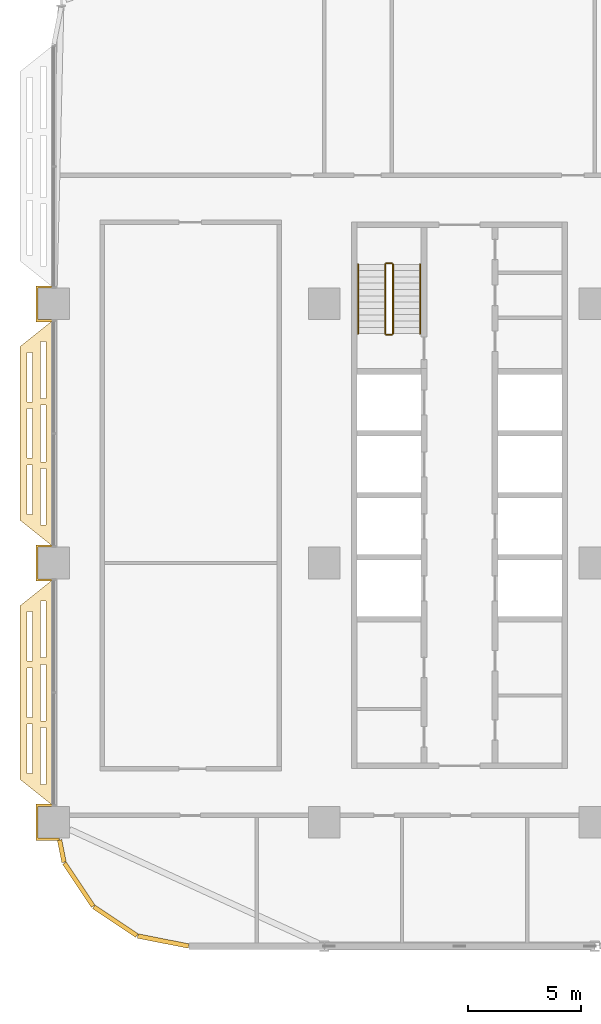
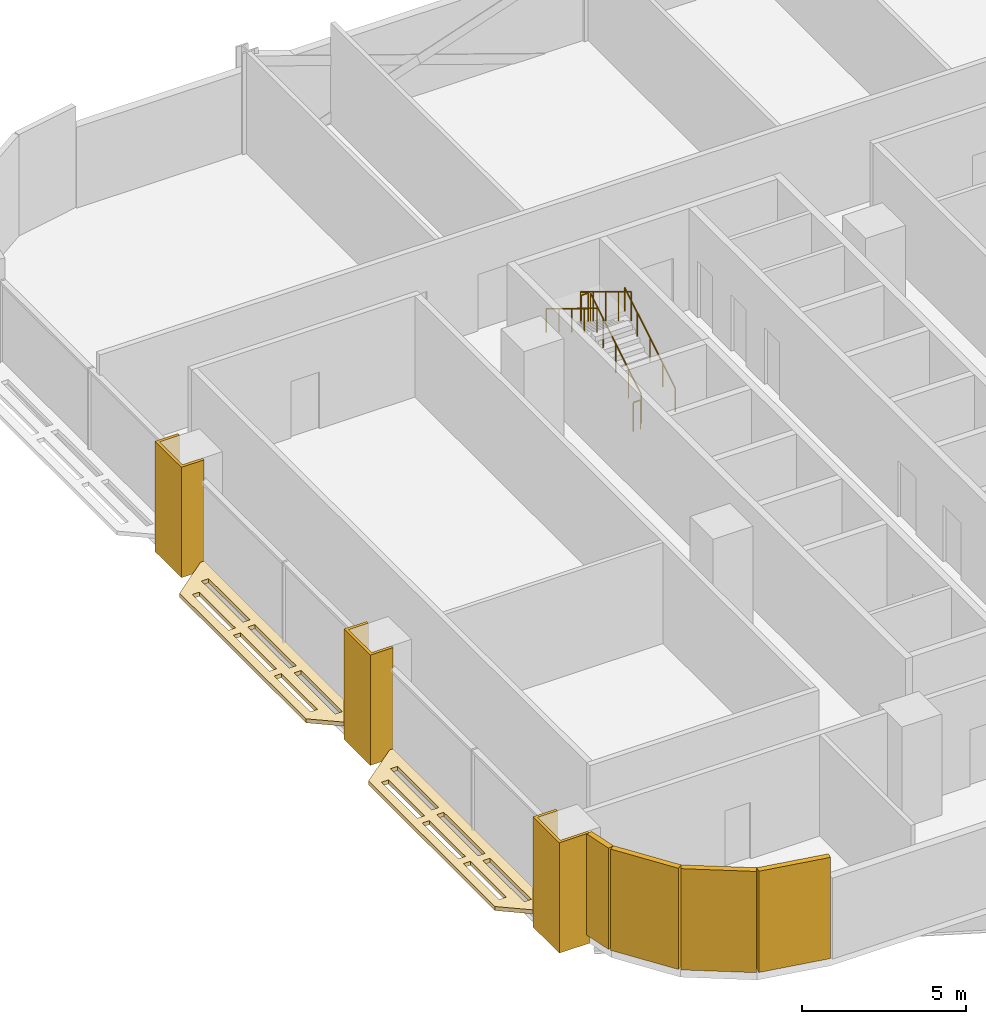
# One storey, part 23 of 29: 9 coverings, 6 railings.
"""IFC4 building model written with IfcOpenShell, lengths in metres."""

from ifc_helpers import new_model, si_unit, direction, frame, origin, origin_2d, place, context, subcontext, project, spatial, polyline, rectangle, circle, outline, extrude, material, layer, layer_set, type_object, element, save


model = new_model("IFC4")

# Units and contexts
model_context = context("Model", 3, precision=1e-05, world=origin(), true_north=direction((0.0, 1.0)))
body_context = subcontext(model_context, "Body", "Model", "MODEL_VIEW")
ifc_project = project(units=[si_unit("LENGTHUNIT", "METRE"), si_unit("AREAUNIT", "SQUARE_METRE"), si_unit("VOLUMEUNIT", "CUBIC_METRE"), si_unit("PLANEANGLEUNIT", "RADIAN"), si_unit("MASSUNIT", "GRAM", prefix="KILO")], contexts=[model_context])

# Site, building, storey
site_placement = place(None, origin())
site = spatial("IfcSite", under=ifc_project, at=site_placement, CompositionType="ELEMENT")
building_placement = place(site_placement, origin())
building = spatial("IfcBuilding", under=site, at=building_placement, Name="Mahtab Terrace Research Tower", CompositionType="ELEMENT")
storey_placement = place(building_placement, frame((0.0, 0.0, 97.10009765625)))
storey = spatial("IfcBuildingStorey", under=building, at=storey_placement, Name="L22", CompositionType="ELEMENT", Elevation=97.10009765625)

# Coverings
ifc_material_1 = material(Name="Black aluminium cladding panel", Category="aluminium")
ifc_layer_1 = layer(ifc_material_1, 0.199951171875)
ifc_layer_set_1 = layer_set([ifc_layer_1], Name="Black metal corner cladding 200")
covering_type_1 = type_object("IfcCoveringType", Name="Black metal corner cladding 200", PredefinedType="CLADDING", material=ifc_layer_set_1)
covering_1_placement = place(storey_placement, frame((-41.645263671875, -12.782470703125, 0.0), z_axis=(0.0, 0.0, 1.0), x_axis=(0.195212442692, -0.980760981187, 0.0)))
element("IfcCovering", 1, at=covering_1_placement, inside=storey, type_object=covering_type_1, Name="Corner cladding L22 19", PredefinedType="CLADDING", context=body_context, shape_type="SweptSolid", body=[
    extrude(rectangle(XDim=1.007568359375, YDim=0.199951171875, at=origin_2d()), origin(), (0.0, 0.0, 1.0), 3.760009765625),
])
for number, where, z_axis, x_axis, name in (
    (2, (-40.89306640625, -14.26953125, 0.0), (0.0, 0.0, 1.0), (0.555291490808, -0.831655794326, 0.0), "Corner cladding L22 20"),
    (3, (-39.26953125, -15.89306640625, 0.0), (0.0, 0.0, 1.0), (0.831655794326, -0.555291490808, 0.0), "Corner cladding L22 21"),
    (4, (-37.14794921875, -16.771484375, 0.0), (0.0, 0.0, 1.0), (0.980760981187, -0.195212442692, 0.0), "Corner cladding L22 22"),
):
    element("IfcCovering", number, at=place(storey_placement, frame(where, z_axis=z_axis, x_axis=x_axis)), inside=storey, type_object=covering_type_1, Name=name, PredefinedType="CLADDING", context=body_context, shape_type="SweptSolid", body=[
        extrude(rectangle(XDim=2.30126953125, YDim=0.199951171875, at=origin_2d()), origin(), (0.0, 0.0, 1.0), 3.760009765625),
    ])
ifc_material_2 = material(Name="Dark anodised aluminium cladding", Category="aluminium")
ifc_layer_2 = layer(ifc_material_2, 0.10009765625)
ifc_layer_set_2 = layer_set([ifc_layer_2], Name="Column casing 100")
covering_type_2 = type_object("IfcCoveringType", Name="Column casing 100", PredefinedType="CLADDING", material=ifc_layer_set_2)
covering_2_placement = place(storey_placement, frame((0.0, 0.0, -0.340087890625)))
element("IfcCovering", 5, at=covering_2_placement, inside=storey, type_object=covering_type_2, Name="Column casing RC-1A L22", PredefinedType="CLADDING", context=body_context, shape_type="SweptSolid", body=[
    extrude(outline(polyline([(-42.800048828125, -10.699951171875), (-42.0, -10.699951171875), (-42.0, -10.800048828125), (-42.699951171875, -10.800048828125), (-42.699951171875, -12.199951171875), (-41.760986328125, -12.199951171875), (-41.740966796875, -12.300048828125), (-42.800048828125, -12.300048828125), (-42.800048828125, -10.699951171875)])), origin(), (0.0, 0.0, 1.0), 4.10009765625),
])
covering_3_placement = place(storey_placement, frame((0.0, 0.0, -0.340087890625)))
element("IfcCovering", 6, at=covering_3_placement, inside=storey, type_object=covering_type_2, Name="Column casing RC-1B L22", PredefinedType="CLADDING", context=body_context, shape_type="SweptSolid", body=[
    extrude(outline(polyline([(-42.800048828125, 0.800048828125), (-42.0, 0.800048828125), (-42.0, 0.699951171875), (-42.699951171875, 0.699951171875), (-42.699951171875, -0.699951171875), (-42.0, -0.699951171875), (-42.0, -0.800048828125), (-42.800048828125, -0.800048828125), (-42.800048828125, 0.800048828125)])), origin(), (0.0, 0.0, 1.0), 4.10009765625),
])
covering_4_placement = place(storey_placement, frame((0.0, 0.0, -0.340087890625)))
element("IfcCovering", 7, at=covering_4_placement, inside=storey, type_object=covering_type_2, Name="Column casing RC-1C L22", PredefinedType="CLADDING", context=body_context, shape_type="SweptSolid", body=[
    extrude(outline(polyline([(-42.800048828125, 12.300048828125), (-42.0, 12.300048828125), (-42.0, 12.199951171875), (-42.699951171875, 12.199951171875), (-42.699951171875, 10.800048828125), (-42.0, 10.800048828125), (-42.0, 10.699951171875), (-42.800048828125, 10.699951171875), (-42.800048828125, 12.300048828125)])), origin(), (0.0, 0.0, 1.0), 4.10009765625),
])
ifc_material_3 = material(Name="Black anodised aluminium", Category="aluminium")
ifc_layer_3 = layer(ifc_material_3, 0.14990234375)
ifc_layer_set_3 = layer_set([ifc_layer_3], Name="Horizontal sunshade band")
covering_type_3 = type_object("IfcCoveringType", Name="Horizontal sunshade band", PredefinedType="CLADDING", material=ifc_layer_set_3)
covering_5_placement = place(storey_placement, frame((0.0, 0.0, -0.150146484375)))
element("IfcCovering", 8, at=covering_5_placement, inside=storey, type_object=covering_type_3, Name="Sunshade band L22 17", PredefinedType="CLADDING", context=body_context, shape_type="SweptSolid", body=[
    extrude(outline(polyline([(-42.0, 10.800048828125), (-42.0, 0.699951171875), (-43.5, 1.89990234375), (-43.5, 9.60009765625), (-42.0, 10.800048828125)]), holes=[polyline([(-42.35009765625, 9.820068359375), (-42.35009765625, 7.306884765625), (-42.60009765625, 7.306884765625), (-42.60009765625, 9.820068359375), (-42.35009765625, 9.820068359375)]), polyline([(-42.35009765625, 7.007080078125), (-42.35009765625, 4.492919921875), (-42.60009765625, 4.492919921875), (-42.60009765625, 7.007080078125), (-42.35009765625, 7.007080078125)]), polyline([(-42.35009765625, 4.193115234375), (-42.35009765625, 1.679931640625), (-42.60009765625, 1.679931640625), (-42.60009765625, 4.193115234375), (-42.35009765625, 4.193115234375)]), polyline([(-42.949951171875, 9.340087890625), (-42.949951171875, 7.14697265625), (-43.199951171875, 7.14697265625), (-43.199951171875, 9.340087890625), (-42.949951171875, 9.340087890625)]), polyline([(-42.949951171875, 6.846923828125), (-42.949951171875, 4.653076171875), (-43.199951171875, 4.653076171875), (-43.199951171875, 6.846923828125), (-42.949951171875, 6.846923828125)]), polyline([(-42.949951171875, 4.35302734375), (-42.949951171875, 2.159912109375), (-43.199951171875, 2.159912109375), (-43.199951171875, 4.35302734375), (-42.949951171875, 4.35302734375)])]), origin(), (0.0, 0.0, 1.0), 0.150146484375),
])
covering_6_placement = place(storey_placement, frame((0.0, 0.0, -0.150146484375)))
element("IfcCovering", 9, at=covering_6_placement, inside=storey, type_object=covering_type_3, Name="Sunshade band L22 18", PredefinedType="CLADDING", context=body_context, shape_type="SweptSolid", body=[
    extrude(outline(polyline([(-42.0, -0.699951171875), (-42.0, -10.800048828125), (-43.5, -9.60009765625), (-43.5, -1.89990234375), (-42.0, -0.699951171875)]), holes=[polyline([(-42.35009765625, -1.679931640625), (-42.35009765625, -4.193115234375), (-42.60009765625, -4.193115234375), (-42.60009765625, -1.679931640625), (-42.35009765625, -1.679931640625)]), polyline([(-42.35009765625, -4.492919921875), (-42.35009765625, -7.007080078125), (-42.60009765625, -7.007080078125), (-42.60009765625, -4.492919921875), (-42.35009765625, -4.492919921875)]), polyline([(-42.35009765625, -7.306884765625), (-42.35009765625, -9.820068359375), (-42.60009765625, -9.820068359375), (-42.60009765625, -7.306884765625), (-42.35009765625, -7.306884765625)]), polyline([(-42.949951171875, -2.159912109375), (-42.949951171875, -4.35302734375), (-43.199951171875, -4.35302734375), (-43.199951171875, -2.159912109375), (-42.949951171875, -2.159912109375)]), polyline([(-42.949951171875, -4.653076171875), (-42.949951171875, -6.846923828125), (-43.199951171875, -6.846923828125), (-43.199951171875, -4.653076171875), (-42.949951171875, -4.653076171875)]), polyline([(-42.949951171875, -7.14697265625), (-42.949951171875, -9.340087890625), (-43.199951171875, -9.340087890625), (-43.199951171875, -7.14697265625), (-42.949951171875, -7.14697265625)])]), origin(), (0.0, 0.0, 1.0), 0.150146484375),
])

# Railings
ifc_material_4 = material(Name="Stainless steel AISI 304", Category="steel")
railing_type_1 = type_object("IfcRailingType", Name="Stair guard 1100", PredefinedType="GUARDRAIL", material=ifc_material_4)
railing_1_placement = place(storey_placement, frame((-26.949951171875, 10.175048828125, 0.170654296875)))
element("IfcRailing", 10, at=railing_1_placement, inside=storey, type_object=railing_type_1, Name="L22 ST1 stair guard 1", PredefinedType="GUARDRAIL", context=body_context, shape_type="SweptSolid", body=[
    extrude(circle(Radius=0.02392578125, at=origin_2d()), frame((0.0, 0.0, 1.076171875), z_axis=(0.0, 0.853647949592, 0.520850437417), x_axis=(-1.0, 0.0, 0.0)), (0.0, 0.0, 1.0), 3.60791015625),
    extrude(circle(Radius=0.02099609375, at=origin_2d()), origin(), (0.0, 0.0, 1.0), 1.052001953125),
    extrude(circle(Radius=0.02099609375, at=origin_2d()), frame((0.0, 0.77001953125, 0.4697265625)), (0.0, 0.0, 1.0), 1.052001953125),
    extrude(circle(Radius=0.02099609375, at=origin_2d()), frame((0.0, 1.5400390625, 0.939453125)), (0.0, 0.0, 1.0), 1.052001953125),
    extrude(circle(Radius=0.02099609375, at=origin_2d()), frame((0.0, 2.309814453125, 1.409423828125)), (0.0, 0.0, 1.0), 1.052001953125),
    extrude(circle(Radius=0.02099609375, at=origin_2d()), frame((0.0, 3.079833984375, 1.879150390625)), (0.0, 0.0, 1.0), 1.052001953125),
])
railing_2_placement = place(storey_placement, frame((-27.0, 13.304931640625, 2.0498046875)))
element("IfcRailing", 11, at=railing_2_placement, inside=storey, type_object=railing_type_1, Name="L22 ST1 stair guard 2", PredefinedType="GUARDRAIL", context=body_context, shape_type="SweptSolid", body=[
    extrude(circle(Radius=0.02392578125, at=origin_2d()), frame((0.0, 0.0, 1.076171875), z_axis=(-1.0, 0.0, 0.0), x_axis=(0.0, -1.0, 0.0)), (0.0, 0.0, 1.0), 0.25),
    extrude(circle(Radius=0.02099609375, at=origin_2d()), origin(), (0.0, 0.0, 1.0), 1.052001953125),
    extrude(circle(Radius=0.02099609375, at=origin_2d()), frame((-0.25, 0.0, 0.0)), (0.0, 0.0, 1.0), 1.052001953125),
])
railing_3_placement = place(storey_placement, frame((-27.300048828125, 13.2548828125, 2.220703125)))
element("IfcRailing", 12, at=railing_3_placement, inside=storey, type_object=railing_type_1, Name="L22 ST1 stair guard 3", PredefinedType="GUARDRAIL", context=body_context, shape_type="SweptSolid", body=[
    extrude(circle(Radius=0.02392578125, at=origin_2d()), frame((0.0, 0.0, 1.076171875), z_axis=(0.0, -0.853647949592, 0.520850437417), x_axis=(1.0, 0.0, 0.0)), (0.0, 0.0, 1.0), 3.60791015625),
    extrude(circle(Radius=0.02099609375, at=origin_2d()), origin(), (0.0, 0.0, 1.0), 1.052001953125),
    extrude(circle(Radius=0.02099609375, at=origin_2d()), frame((0.0, -0.77001953125, 0.4697265625)), (0.0, 0.0, 1.0), 1.052001953125),
    extrude(circle(Radius=0.02099609375, at=origin_2d()), frame((0.0, -1.5400390625, 0.939453125)), (0.0, 0.0, 1.0), 1.052001953125),
    extrude(circle(Radius=0.02099609375, at=origin_2d()), frame((0.0, -2.309814453125, 1.409423828125)), (0.0, 0.0, 1.0), 1.052001953125),
    extrude(circle(Radius=0.02099609375, at=origin_2d()), frame((0.0, -3.079833984375, 1.879150390625)), (0.0, 0.0, 1.0), 1.052001953125),
])
railing_4_placement = place(storey_placement, frame((-27.0, 10.125, 0.0)))
element("IfcRailing", 13, at=railing_4_placement, inside=storey, type_object=railing_type_1, Name="L22 ST1 stair guard 4", PredefinedType="GUARDRAIL", context=body_context, shape_type="SweptSolid", body=[
    extrude(circle(Radius=0.02392578125, at=origin_2d()), frame((0.0, 0.0, 1.076171875), z_axis=(-1.0, 0.0, 0.0), x_axis=(0.0, -1.0, 0.0)), (0.0, 0.0, 1.0), 0.25),
    extrude(circle(Radius=0.02099609375, at=origin_2d()), origin(), (0.0, 0.0, 1.0), 1.052001953125),
    extrude(circle(Radius=0.02099609375, at=origin_2d()), frame((-0.25, 0.0, 0.0)), (0.0, 0.0, 1.0), 1.052001953125),
])
railing_type_2 = type_object("IfcRailingType", Name="Stair handrail 900", PredefinedType="HANDRAIL", material=ifc_material_4)
railing_5_placement = place(storey_placement, frame((-25.75, 10.175048828125, 0.170654296875)))
element("IfcRailing", 14, at=railing_5_placement, inside=storey, type_object=railing_type_2, Name="L22 ST1 stair handrail 1", PredefinedType="HANDRAIL", context=body_context, shape_type="SweptSolid", body=[
    extrude(circle(Radius=0.02392578125, at=origin_2d()), frame((0.0, 0.0, 0.8759765625), z_axis=(0.0, 0.853647949592, 0.520850437417), x_axis=(-1.0, 0.0, 0.0)), (0.0, 0.0, 1.0), 3.60791015625),
    extrude(circle(Radius=0.02099609375, at=origin_2d()), origin(), (0.0, 0.0, 1.0), 0.851806640625),
    extrude(circle(Radius=0.02099609375, at=origin_2d()), frame((0.0, 0.77001953125, 0.4697265625)), (0.0, 0.0, 1.0), 0.851806640625),
    extrude(circle(Radius=0.02099609375, at=origin_2d()), frame((0.0, 1.5400390625, 0.939453125)), (0.0, 0.0, 1.0), 0.851806640625),
    extrude(circle(Radius=0.02099609375, at=origin_2d()), frame((0.0, 2.309814453125, 1.409423828125)), (0.0, 0.0, 1.0), 0.851806640625),
    extrude(circle(Radius=0.02099609375, at=origin_2d()), frame((0.0, 3.079833984375, 1.879150390625)), (0.0, 0.0, 1.0), 0.851806640625),
])
railing_6_placement = place(storey_placement, frame((-28.5, 13.2548828125, 2.220703125)))
element("IfcRailing", 15, at=railing_6_placement, inside=storey, type_object=railing_type_2, Name="L22 ST1 stair handrail 2", PredefinedType="HANDRAIL", context=body_context, shape_type="SweptSolid", body=[
    extrude(circle(Radius=0.02392578125, at=origin_2d()), frame((0.0, 0.0, 0.8759765625), z_axis=(0.0, -0.853647949592, 0.520850437417), x_axis=(1.0, 0.0, 0.0)), (0.0, 0.0, 1.0), 3.60791015625),
    extrude(circle(Radius=0.02099609375, at=origin_2d()), origin(), (0.0, 0.0, 1.0), 0.851806640625),
    extrude(circle(Radius=0.02099609375, at=origin_2d()), frame((0.0, -0.77001953125, 0.4697265625)), (0.0, 0.0, 1.0), 0.851806640625),
    extrude(circle(Radius=0.02099609375, at=origin_2d()), frame((0.0, -1.5400390625, 0.939453125)), (0.0, 0.0, 1.0), 0.851806640625),
    extrude(circle(Radius=0.02099609375, at=origin_2d()), frame((0.0, -2.309814453125, 1.409423828125)), (0.0, 0.0, 1.0), 0.851806640625),
    extrude(circle(Radius=0.02099609375, at=origin_2d()), frame((0.0, -3.079833984375, 1.879150390625)), (0.0, 0.0, 1.0), 0.851806640625),
])

save(model, "model.ifc")
